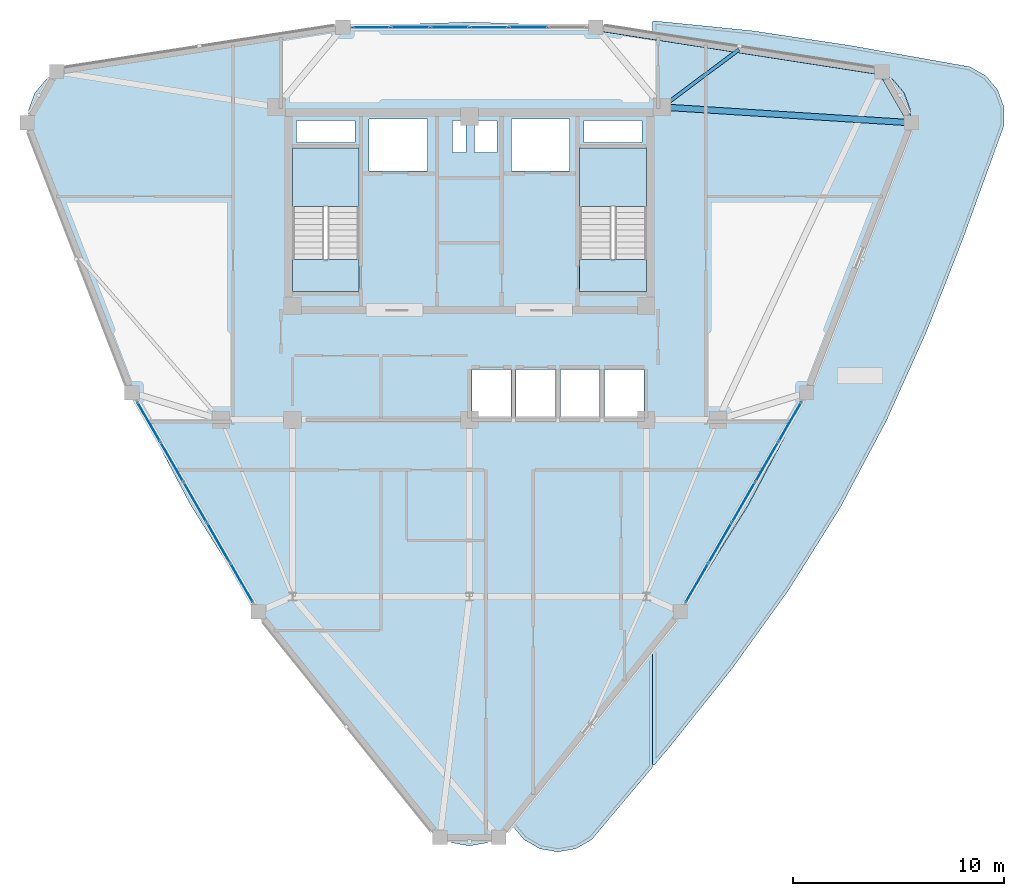
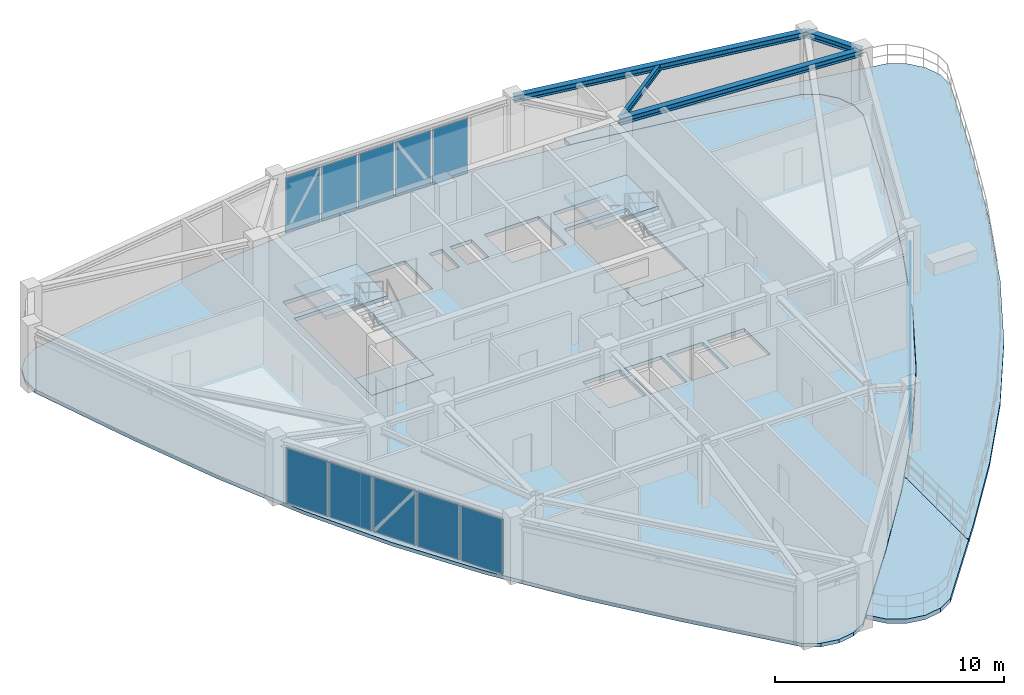
# One storey, part 10 of 16: 15 plates, 7 slabs, 4 beams, 5 elements without a shape of their own.
"""IFC4 building model written with IfcOpenShell, lengths in metres."""

from ifc_helpers import new_model, si_unit, derived_unit, direction, frame, origin, origin_2d, place, context, subcontext, project, spatial, polyline, rectangle, i_section, outline, extrude, source, transform, mapped, material, layer, layer_set, material_profile, profile_set, type_object, element, aggregate, save


model = new_model("IFC4")

# Units and contexts
model_context = context("Model", 3, precision=1e-05, world=origin(), true_north=direction((0.0, 1.0)))
body_context = subcontext(model_context, "Body", "Model", "MODEL_VIEW")
ifc_project = project(units=[si_unit("LENGTHUNIT", "METRE"), si_unit("AREAUNIT", "SQUARE_METRE"), si_unit("VOLUMEUNIT", "CUBIC_METRE"), si_unit("PLANEANGLEUNIT", "RADIAN"), si_unit("MASSUNIT", "GRAM", prefix="KILO"), derived_unit("THERMALTRANSMITTANCEUNIT", [(si_unit("POWERUNIT", "WATT"), 1), (si_unit("LENGTHUNIT", "METRE"), -2), (si_unit("THERMODYNAMICTEMPERATUREUNIT", "KELVIN"), -1)])], contexts=[model_context])

# Site, building, storey
site_placement = place(None, origin())
site = spatial("IfcSite", under=ifc_project, at=site_placement, CompositionType="ELEMENT")
building_placement = place(site_placement, origin())
building = spatial("IfcBuilding", under=site, at=building_placement, Name="Korsvarv Bourse and Concert Hall", CompositionType="ELEMENT")
storey_placement = place(building_placement, frame((0.0, 0.0, 243.0)))
storey = spatial("IfcBuildingStorey", under=building, at=storey_placement, Name="L63", CompositionType="ELEMENT", Elevation=243.0)

# Beams
ifc_material_1 = material(Name="Steel S355", Category="steel")
ifc_material_profile_1 = material_profile(ifc_material_1, i_section(OverallWidth=0.300048828125, OverallDepth=0.330078125, WebThickness=0.009521484375, FlangeThickness=0.0166015625, FilletRadius=0.02099609375, at=origin_2d()), Name="HEA 340")
ifc_profile_set_1 = profile_set([ifc_material_profile_1], Name="Steel S355")
beam_type_1 = type_object("IfcBeamType", Name="BM-HEA340", PredefinedType="BEAM", material=ifc_profile_set_1)
shared_shape_1 = source(origin(), body_context, "Body", "SweptSolid", [
    extrude(i_section(OverallWidth=0.300048828125, OverallDepth=0.330078125, WebThickness=0.009521484375, FlangeThickness=0.0166015625, FilletRadius=0.02099609375, at=origin_2d()), origin(), (0.0, 0.0, 1.0), 2.794921875),
])
beam_1_placement = place(storey_placement, frame((56.98779296875, 46.503662109375, 3.2451171875), z_axis=(-0.500009789943, 0.866019751484, 0.0), x_axis=(-0.866019751484, -0.500009789943, 0.0)))
element("IfcBeam", 1, at=beam_1_placement, inside=storey, type_object=beam_type_1, Name="L63 beam B-12", PredefinedType="BEAM", context=body_context, shape_type="MappedRepresentation", body=[
    mapped(shared_shape_1, transform((0.0, 0.0, 0.0), scale=1.0)),
])
shared_shape_2 = source(origin(), body_context, "Body", "SweptSolid", [
    extrude(i_section(OverallWidth=0.300048828125, OverallDepth=0.330078125, WebThickness=0.009521484375, FlangeThickness=0.0166015625, FilletRadius=0.02099609375, at=origin_2d()), origin(), (0.0, 0.0, 1.0), 13.74853515625),
])
beam_2_placement = place(storey_placement, frame((55.59033203125, 48.924072265625, 3.2451171875), z_axis=(-0.988168614185, 0.153371411744, 0.0), x_axis=(-0.153371411744, -0.988168614185, 0.0)))
element("IfcBeam", 2, at=beam_2_placement, inside=storey, type_object=beam_type_1, Name="L63 beam B-12", PredefinedType="BEAM", context=body_context, shape_type="MappedRepresentation", body=[
    mapped(shared_shape_2, transform((0.0, 0.0, 0.0), scale=1.0)),
])
shared_shape_3 = source(origin(), body_context, "Body", "SweptSolid", [
    extrude(i_section(OverallWidth=0.300048828125, OverallDepth=0.330078125, WebThickness=0.009521484375, FlangeThickness=0.0166015625, FilletRadius=0.02099609375, at=origin_2d()), origin(), (0.0, 0.0, 1.0), 11.861328125),
])
beam_3_placement = place(storey_placement, frame((56.98779296875, 46.503662109375, 3.2451171875), z_axis=(-0.998018472991, 0.06292159858, 0.0), x_axis=(-0.06292159858, -0.998018472991, 0.0)))
element("IfcBeam", 3, at=beam_3_placement, inside=storey, type_object=beam_type_1, Name="L63 beam B-12", PredefinedType="BEAM", context=body_context, shape_type="MappedRepresentation", body=[
    mapped(shared_shape_3, transform((0.0, 0.0, 0.0), scale=1.0)),
])
ifc_material_profile_2 = material_profile(ifc_material_1, i_section(OverallWidth=0.169921875, OverallDepth=0.360107421875, WebThickness=0.008056640625, FlangeThickness=0.0126953125, FilletRadius=0.01806640625, at=origin_2d()), Name="IPE 360")
ifc_profile_set_2 = profile_set([ifc_material_profile_2], Name="Steel S355")
beam_type_2 = type_object("IfcBeamType", Name="BM-IPE360", PredefinedType="JOIST", material=ifc_profile_set_2)
shared_shape_4 = source(origin(), body_context, "Body", "SweptSolid", [
    extrude(i_section(OverallWidth=0.169921875, OverallDepth=0.360107421875, WebThickness=0.008056640625, FlangeThickness=0.0126953125, FilletRadius=0.01806640625, at=origin_2d()), origin(), (0.0, 0.0, 1.0), 4.55517578125),
])
beam_4_placement = place(storey_placement, frame((48.79736328125, 49.978515625, 3.22998046875), z_axis=(-0.800745457612, -0.599004768023, 0.0), x_axis=(0.599004768023, -0.800745457612, 0.0)))
element("IfcBeam", 4, at=beam_4_placement, inside=storey, type_object=beam_type_2, Name="L63 beam J-06", PredefinedType="JOIST", context=body_context, shape_type="MappedRepresentation", body=[
    mapped(shared_shape_4, transform((0.0, 0.0, 0.0), scale=1.0)),
])

# Slabs
ifc_material_2 = material(Name="Precast concrete C45/55", Category="concrete")
ifc_layer_1 = layer(ifc_material_2, 0.199951171875)
ifc_layer_set_1 = layer_set([ifc_layer_1], Name="Precast concrete C45/55")
slab_type_1 = type_object("IfcSlabType", Name="SLB-FLND-T", PredefinedType="LANDING", material=ifc_layer_set_1)
slab_1_placement = place(storey_placement, frame((0.0, 0.0, -0.199951171875)))
element("IfcSlab", 5, at=slab_1_placement, inside=storey, type_object=slab_type_1, Name="L63 Stair ST-T1 Floor Landing Slab", PredefinedType="LANDING", context=body_context, shape_type="SweptSolid", body=[
    extrude(outline(polyline([(30.760009765625, 38.5), (30.760009765625, 40.0), (27.60009765625, 40.0), (27.60009765625, 38.5), (30.760009765625, 38.5)])), origin(), (0.0, 0.0, 1.0), 0.199951171875),
])
slab_2_placement = place(storey_placement, frame((0.0, 0.0, -0.199951171875)))
element("IfcSlab", 6, at=slab_2_placement, inside=storey, type_object=slab_type_1, Name="L63 Stair ST-T2 Floor Landing Slab", PredefinedType="LANDING", context=body_context, shape_type="SweptSolid", body=[
    extrude(outline(polyline([(44.39990234375, 38.5), (44.39990234375, 40.0), (41.239990234375, 40.0), (41.239990234375, 38.5), (44.39990234375, 38.5)])), origin(), (0.0, 0.0, 1.0), 0.199951171875),
])
ifc_material_3 = material(Name="Concrete C45/55", Category="concrete")
ifc_layer_2 = layer(ifc_material_3, 0.22998046875)
ifc_layer_set_2 = layer_set([ifc_layer_2], Name="Concrete C45/55")
slab_type_2 = type_object("IfcSlabType", Name="SLB-SKY", PredefinedType="FLOOR", material=ifc_layer_set_2)
slab_3_placement = place(storey_placement, frame((0.0, 0.0, -0.22998046875)))
element("IfcSlab", 7, at=slab_3_placement, inside=storey, type_object=slab_type_2, Name="L63 Crescent Sky Garden Terrace 1", PredefinedType="FLOOR", context=body_context, shape_type="SweptSolid", body=[
    extrude(outline(polyline([(46.818603515625, 24.467529296875), (46.819091796875, 24.46826171875), (49.247314453125, 28.3505859375), (49.247802734375, 28.351318359375), (49.248046875, 28.352294921875), (51.396484375, 32.396240234375), (51.396728515625, 32.39697265625), (51.397216796875, 32.397705078125), (53.291015625, 36.599853515625), (53.291259765625, 36.600341796875), (53.29150390625, 36.60107421875), (54.993408203125, 40.93408203125), (54.99365234375, 40.934326171875), (54.993896484375, 40.934814453125), (56.595703125, 45.350830078125), (56.595947265625, 45.351806640625), (56.935791015625, 46.28515625), (56.93603515625, 46.28564453125), (56.936279296875, 46.287109375), (56.9365234375, 46.287841796875), (56.9365234375, 46.289306640625), (56.9365234375, 46.289794921875), (56.9365234375, 47.12744140625), (56.9365234375, 47.1279296875), (56.9365234375, 47.12939453125), (56.936279296875, 47.130126953125), (56.93603515625, 47.131591796875), (56.935791015625, 47.132080078125), (56.6494140625, 47.919189453125), (56.649169921875, 47.919677734375), (56.6484375, 47.9208984375), (56.648193359375, 47.921630859375), (56.647216796875, 47.9228515625), (56.64697265625, 47.923095703125), (56.1083984375, 48.564697265625), (56.108154296875, 48.565185546875), (56.107177734375, 48.566162109375), (56.1064453125, 48.56689453125), (56.10546875, 48.567626953125), (56.10498046875, 48.56787109375), (55.37939453125, 48.98681640625), (55.37890625, 48.98681640625), (55.377685546875, 48.987548828125), (55.376953125, 48.98779296875), (55.37548828125, 48.98828125), (55.375, 48.98828125), (54.396728515625, 49.160888671875), (54.395751953125, 49.160888671875), (49.7705078125, 49.981689453125), (49.770263671875, 49.981689453125), (49.769775390625, 49.981689453125), (45.166259765625, 50.67431640625), (45.165771484375, 50.674560546875), (45.164794921875, 50.674560546875), (44.75390625, 50.7158203125), (44.748291015625, 50.716796875), (44.742431640625, 50.71826171875), (44.737060546875, 50.72021484375), (44.731689453125, 50.72265625), (44.7265625, 50.7255859375), (44.721923828125, 50.729248046875), (44.717529296875, 50.733154296875), (44.713623046875, 50.737548828125), (44.710205078125, 50.7421875), (44.70703125, 50.747314453125), (44.70458984375, 50.752685546875), (44.70263671875, 50.75830078125), (44.701171875, 50.763916015625), (44.7001953125, 50.769775390625), (44.699951171875, 50.775634765625), (44.699951171875, 51.277587890625), (44.7001953125, 51.283447265625), (44.701171875, 51.28955078125), (44.70263671875, 51.29541015625), (44.704833984375, 51.30078125), (44.70751953125, 51.306396484375), (44.710693359375, 51.3115234375), (44.714111328125, 51.31640625), (44.71826171875, 51.32080078125), (44.722900390625, 51.32470703125), (44.727783203125, 51.328125), (44.73291015625, 51.3310546875), (44.738525390625, 51.33349609375), (44.744140625, 51.33544921875), (44.75, 51.336669921875), (44.756103515625, 51.33740234375), (44.76220703125, 51.33740234375), (44.818359375, 51.33544921875), (44.822265625, 51.335205078125), (49.44873046875, 50.869140625), (49.451904296875, 50.868896484375), (54.0966796875, 50.16845703125), (54.09814453125, 50.168212890625), (58.765869140625, 49.338134765625), (58.766357421875, 49.337890625), (58.766845703125, 49.337890625), (58.76806640625, 49.337646484375), (59.765869140625, 49.16162109375), (59.77099609375, 49.16064453125), (59.77587890625, 49.158935546875), (59.78076171875, 49.156982421875), (59.785400390625, 49.154541015625), (60.519775390625, 48.730712890625), (60.524169921875, 48.727783203125), (60.5283203125, 48.724609375), (60.5322265625, 48.72119140625), (60.53564453125, 48.71728515625), (61.080810546875, 48.0673828125), (61.083984375, 48.0634765625), (61.0869140625, 48.058837890625), (61.089111328125, 48.05419921875), (61.09130859375, 48.049560546875), (61.38134765625, 47.252685546875), (61.3828125, 47.247802734375), (61.384033203125, 47.242431640625), (61.384765625, 47.2373046875), (61.385009765625, 47.232177734375), (61.385009765625, 46.384033203125), (61.384765625, 46.37890625), (61.384033203125, 46.373779296875), (61.3828125, 46.36865234375), (61.38134765625, 46.363525390625), (61.034912109375, 45.412109375), (61.03466796875, 45.410888671875), (61.033935546875, 45.408935546875), (59.419189453125, 40.9521484375), (59.418701171875, 40.95068359375), (57.702392578125, 36.577880859375), (57.701416015625, 36.5751953125), (55.791748046875, 32.33544921875), (55.7900390625, 32.331787109375), (53.623291015625, 28.25244140625), (53.621337890625, 28.248779296875), (51.171630859375, 24.33251953125), (51.169677734375, 24.329345703125), (48.45263671875, 20.5556640625), (48.45068359375, 20.55322265625), (45.521728515625, 16.880859375), (45.520751953125, 16.879638671875), (44.805908203125, 16.0302734375), (44.802001953125, 16.02587890625), (44.797607421875, 16.022216796875), (44.792724609375, 16.0185546875), (44.78759765625, 16.015625), (44.782470703125, 16.01318359375), (44.77685546875, 16.01123046875), (44.771240234375, 16.010009765625), (44.765380859375, 16.009033203125), (44.759521484375, 16.0087890625), (44.753662109375, 16.00927734375), (44.747802734375, 16.010009765625), (44.7421875, 16.01171875), (44.73681640625, 16.013671875), (44.7314453125, 16.01611328125), (44.726318359375, 16.01904296875), (44.7216796875, 16.022705078125), (44.71728515625, 16.026611328125), (44.71337890625, 16.031005859375), (44.7099609375, 16.03564453125), (44.70703125, 16.040771484375), (44.70458984375, 16.0458984375), (44.70263671875, 16.051513671875), (44.701171875, 16.05712890625), (44.7001953125, 16.06298828125), (44.699951171875, 16.06884765625), (44.699951171875, 21.50390625), (44.7001953125, 21.51025390625), (44.701416015625, 21.516357421875), (44.702880859375, 21.5224609375), (44.705078125, 21.5283203125), (44.7080078125, 21.53369140625), (44.711181640625, 21.5390625), (46.818359375, 24.466796875), (46.818603515625, 24.467529296875)])), origin(), (0.0, 0.0, 1.0), 0.22998046875),
])
slab_4_placement = place(storey_placement, frame((0.0, 0.0, -0.22998046875)))
element("IfcSlab", 8, at=slab_4_placement, inside=storey, type_object=slab_type_2, Name="L63 Crescent Sky Garden Terrace 2", PredefinedType="FLOOR", context=body_context, shape_type="SweptSolid", body=[
    extrude(outline(polyline([(42.4677734375, 13.251953125), (42.4677734375, 13.251953125), (42.466796875, 13.2509765625), (41.8154296875, 12.474609375), (41.81201171875, 12.470703125), (41.80810546875, 12.46728515625), (41.803955078125, 12.464111328125), (41.799560546875, 12.461181640625), (41.065185546875, 12.037353515625), (41.060546875, 12.034912109375), (41.0556640625, 12.032958984375), (41.05078125, 12.03125), (41.045654296875, 12.0302734375), (40.21044921875, 11.8828125), (40.205078125, 11.88232421875), (40.199951171875, 11.882080078125), (40.19482421875, 11.88232421875), (40.189697265625, 11.8828125), (39.3544921875, 12.0302734375), (39.349365234375, 12.03125), (39.34423828125, 12.032958984375), (39.339599609375, 12.034912109375), (39.334716796875, 12.037353515625), (38.6005859375, 12.461181640625), (38.595947265625, 12.464111328125), (38.591796875, 12.46728515625), (38.587890625, 12.470703125), (38.58447265625, 12.474609375), (37.999267578125, 13.172119140625), (37.99560546875, 13.177001953125), (37.992431640625, 13.181884765625), (37.989990234375, 13.187255859375), (37.98779296875, 13.193115234375), (37.986328125, 13.19873046875), (37.985595703125, 13.20458984375), (37.985107421875, 13.210693359375), (37.985595703125, 13.216552734375), (37.986328125, 13.222412109375), (37.98779296875, 13.228271484375), (37.989990234375, 13.23388671875), (37.992431640625, 13.239501953125), (37.99560546875, 13.244384765625), (37.999267578125, 13.249267578125), (38.19921875, 13.487548828125), (38.19970703125, 13.48828125), (41.223388671875, 17.08349609375), (41.223388671875, 17.083740234375), (41.2236328125, 17.083984375), (44.125244140625, 20.724609375), (44.12548828125, 20.72509765625), (44.1259765625, 20.7255859375), (44.59130859375, 21.372314453125), (44.594970703125, 21.376708984375), (44.59912109375, 21.381103515625), (44.603515625, 21.384765625), (44.608154296875, 21.387939453125), (44.61328125, 21.390869140625), (44.618408203125, 21.393310546875), (44.6240234375, 21.39501953125), (44.629638671875, 21.396240234375), (44.635498046875, 21.39697265625), (44.641357421875, 21.397216796875), (44.647216796875, 21.396728515625), (44.65283203125, 21.395751953125), (44.658447265625, 21.394287109375), (44.663818359375, 21.39208984375), (44.669189453125, 21.3896484375), (44.674072265625, 21.38671875), (44.6787109375, 21.383056640625), (44.682861328125, 21.379150390625), (44.686767578125, 21.374755859375), (44.690185546875, 21.3701171875), (44.693115234375, 21.364990234375), (44.695556640625, 21.35986328125), (44.697509765625, 21.3544921875), (44.698974609375, 21.3486328125), (44.69970703125, 21.343017578125), (44.699951171875, 21.337158203125), (44.699951171875, 15.92626953125), (44.69970703125, 15.92041015625), (44.69873046875, 15.914306640625), (44.697265625, 15.90869140625), (44.6953125, 15.90283203125), (44.692626953125, 15.8974609375), (44.689453125, 15.892333984375), (44.685791015625, 15.8876953125), (42.468505859375, 13.252685546875), (42.4677734375, 13.251953125)])), origin(), (0.0, 0.0, 1.0), 0.22998046875),
])

# Stair, slab
stair_type = type_object("IfcStairType", Name="STR-TYPE-04", PredefinedType="HALF_TURN_STAIR", material=ifc_material_2)
stair_1_placement = place(storey_placement, origin())
stair_1 = element("IfcStair", 9, at=stair_1_placement, inside=storey, type_object=stair_type, Name="L63 Tower West Exit Stair ST-T1", PredefinedType="HALF_TURN_STAIR")
ifc_layer_3 = layer(ifc_material_2, 0.199951171875)
ifc_layer_set_3 = layer_set([ifc_layer_3], Name="Precast concrete C45/55")
slab_type_3 = type_object("IfcSlabType", Name="SLB-ST-LND", PredefinedType="LANDING", material=ifc_layer_set_3)
slab_5_placement = place(storey_placement, frame((0.0, 0.0, 1.60009765625)))
slab_5 = element("IfcSlab", 10, at=slab_5_placement, type_object=slab_type_3, Name="ST-T1 landing 1", PredefinedType="LANDING", context=body_context, shape_type="SweptSolid", body=[
    extrude(outline(polyline([(30.760009765625, 42.52001953125), (30.760009765625, 45.300048828125), (27.60009765625, 45.300048828125), (27.60009765625, 42.52001953125), (30.760009765625, 42.52001953125)])), origin(), (0.0, 0.0, 1.0), 0.199951171875),
])
aggregate(stair_1, [slab_5])

stair_2_placement = place(storey_placement, origin())
stair_2 = element("IfcStair", 11, at=stair_2_placement, inside=storey, type_object=stair_type, Name="L63 Tower East Exit Stair ST-T2", PredefinedType="HALF_TURN_STAIR")
slab_6_placement = place(storey_placement, frame((0.0, 0.0, 1.60009765625)))
slab_6 = element("IfcSlab", 12, at=slab_6_placement, type_object=slab_type_3, Name="ST-T2 landing 1", PredefinedType="LANDING", context=body_context, shape_type="SweptSolid", body=[
    extrude(outline(polyline([(44.39990234375, 42.52001953125), (44.39990234375, 45.300048828125), (41.239990234375, 45.300048828125), (41.239990234375, 42.52001953125), (44.39990234375, 42.52001953125)])), origin(), (0.0, 0.0, 1.0), 0.199951171875),
])
aggregate(stair_2, [slab_6])

# Slab
ifc_layer_4 = layer(ifc_material_3, 0.18994140625)
ifc_layer_set_4 = layer_set([ifc_layer_4], Name="Concrete C45/55")
slab_type_4 = type_object("IfcSlabType", Name="SLB-TW3", PredefinedType="FLOOR", material=ifc_layer_set_4)
slab_7_placement = place(storey_placement, frame((0.0, 0.0, -0.18994140625)))
element("IfcSlab", 13, at=slab_7_placement, inside=storey, type_object=slab_type_4, Name="L63 tower structural floor slab", PredefinedType="FLOOR", context=body_context, shape_type="SweptSolid", body=[
    extrude(outline(polyline([(56.586181640625, 45.354248046875), (54.984375, 40.93798828125), (53.281982421875, 36.6044921875), (51.3876953125, 32.4013671875), (49.239013671875, 28.3564453125), (46.810302734375, 24.47314453125), (44.11767578125, 20.731201171875), (41.2158203125, 17.090087890625), (38.192138671875, 13.49462890625), (38.191650390625, 13.493896484375), (37.552490234375, 12.732421875), (36.826171875, 12.31298828125), (36.0, 12.16748046875), (35.173828125, 12.31298828125), (34.447509765625, 12.732421875), (33.808349609375, 13.493896484375), (33.807861328125, 13.49462890625), (30.7841796875, 17.090087890625), (27.88232421875, 20.731201171875), (25.189697265625, 24.47314453125), (22.760986328125, 28.3564453125), (20.6123046875, 32.4013671875), (18.718017578125, 36.6044921875), (17.015625, 40.93798828125), (15.413818359375, 45.354248046875), (15.413330078125, 45.35498046875), (15.073486328125, 46.289306640625), (15.073486328125, 47.1279296875), (15.3603515625, 47.916259765625), (15.899658203125, 48.558837890625), (16.6259765625, 48.978271484375), (17.60498046875, 49.15087890625), (17.60595703125, 49.151123046875), (22.2314453125, 49.971923828125), (26.835693359375, 50.66455078125), (31.422607421875, 51.12548828125), (36.0, 51.287109375), (40.577392578125, 51.12548828125), (45.164306640625, 50.66455078125), (49.7685546875, 49.971923828125), (54.39404296875, 49.151123046875), (54.39501953125, 49.15087890625), (55.3740234375, 48.978271484375), (56.100341796875, 48.558837890625), (56.6396484375, 47.916259765625), (56.926513671875, 47.1279296875), (56.926513671875, 46.289306640625), (56.586669921875, 45.35498046875), (56.586181640625, 45.354248046875)]), holes=[polyline([(30.760009765625, 38.5), (30.760009765625, 45.300048828125), (27.60009765625, 45.300048828125), (27.60009765625, 38.5), (30.760009765625, 38.5)]), polyline([(44.39990234375, 38.5), (44.39990234375, 45.300048828125), (41.239990234375, 45.300048828125), (41.239990234375, 38.5), (44.39990234375, 38.5)]), polyline([(31.239990234375, 44.219970703125), (34.0, 44.219970703125), (34.0, 46.679931640625), (31.239990234375, 46.679931640625), (31.239990234375, 44.219970703125)]), polyline([(38.0, 44.219970703125), (40.760009765625, 44.219970703125), (40.760009765625, 46.679931640625), (38.0, 46.679931640625), (38.0, 44.219970703125)]), polyline([(36.1201171875, 32.52001953125), (37.97998046875, 32.52001953125), (37.97998046875, 34.780029296875), (36.1201171875, 34.780029296875), (36.1201171875, 32.52001953125)]), polyline([(38.219970703125, 32.52001953125), (40.080078125, 32.52001953125), (40.080078125, 34.780029296875), (38.219970703125, 34.780029296875), (38.219970703125, 32.52001953125)]), polyline([(40.320068359375, 32.52001953125), (42.179931640625, 32.52001953125), (42.179931640625, 34.780029296875), (40.320068359375, 34.780029296875), (40.320068359375, 32.52001953125)]), polyline([(42.419921875, 32.52001953125), (44.280029296875, 32.52001953125), (44.280029296875, 34.780029296875), (42.419921875, 34.780029296875), (42.419921875, 32.52001953125)]), polyline([(27.800048828125, 45.56005859375), (30.56005859375, 45.56005859375), (30.56005859375, 46.6201171875), (27.800048828125, 46.6201171875), (27.800048828125, 45.56005859375)]), polyline([(41.43994140625, 45.56005859375), (44.199951171875, 45.56005859375), (44.199951171875, 46.6201171875), (41.43994140625, 46.6201171875), (41.43994140625, 45.56005859375)]), polyline([(35.199951171875, 45.080078125), (35.840087890625, 45.080078125), (35.840087890625, 46.6201171875), (35.199951171875, 46.6201171875), (35.199951171875, 45.080078125)]), polyline([(36.239990234375, 45.080078125), (37.320068359375, 45.080078125), (37.320068359375, 46.6201171875), (36.239990234375, 46.6201171875), (36.239990234375, 45.080078125)])]), origin(), (0.0, 0.0, 1.0), 0.18994140625),
])

# Curtain wall, plates
ifc_material_4 = material(Name="Anodised aluminium and triple low-E glazing", Category="glass")
ifc_layer_5 = layer(ifc_material_4, 0.199951171875)
ifc_layer_set_5 = layer_set([ifc_layer_5], Name="Anodised aluminium and triple low-E glazing")
curtain_wall_type = type_object("IfcCurtainWallType", Name="CW-SYS-3", PredefinedType="NOTDEFINED", material=ifc_layer_set_5)
curtain_wall_1_placement = place(storey_placement, origin())
curtain_wall_1 = element("IfcCurtainWall", 14, at=curtain_wall_1_placement, inside=storey, type_object=curtain_wall_type, Name="L63 CW3 curtain wall CW-L63-F03", PredefinedType="NOTDEFINED")
ifc_material_5 = material(Name="Tempered triple insulated low-E architectural glass", Category="glass")
ifc_layer_6 = layer(ifc_material_5, 0.0380859375)
ifc_layer_set_6 = layer_set([ifc_layer_6], Name="Tempered triple insulated low-E architectural glass")
plate_type_1 = type_object("IfcPlateType", Name="CWP-VIS2", PredefinedType="CURTAIN_PANEL", material=ifc_layer_set_6)
shared_shape_5 = source(origin(), body_context, "Body", "SweptSolid", [
    extrude(rectangle(XDim=1.798095703125, YDim=0.0380859375, at=origin_2d()), origin(), (0.0, 0.0, 1.0), 2.949951171875),
])
plate_1_placement = place(storey_placement, frame((38.80224609375, 51.03271484375, 0.06494140625), z_axis=(0.0, 0.0, 1.0), x_axis=(-1.0, 0.0, 0.0)))
plate_1 = element("IfcPlate", 15, at=plate_1_placement, type_object=plate_type_1, Name="CW3 faceted panel 2.1", PredefinedType="CURTAIN_PANEL", context=body_context, shape_type="MappedRepresentation", body=[
    mapped(shared_shape_5, transform((0.0, 0.0, 0.0), scale=1.0)),
])
plate_2_placement = place(storey_placement, frame((35.06591796875, 51.03271484375, 0.06494140625), z_axis=(0.0, 0.0, 1.0), x_axis=(-1.0, 0.0, 0.0)))
plate_2 = element("IfcPlate", 16, at=plate_2_placement, type_object=plate_type_1, Name="CW3 faceted panel 4.1", PredefinedType="CURTAIN_PANEL", context=body_context, shape_type="MappedRepresentation", body=[
    mapped(shared_shape_5, transform((0.0, 0.0, 0.0), scale=1.0)),
])
plate_3_placement = place(storey_placement, frame((33.19775390625, 51.03271484375, 0.06494140625), z_axis=(0.0, 0.0, 1.0), x_axis=(-1.0, 0.0, 0.0)))
plate_3 = element("IfcPlate", 17, at=plate_3_placement, type_object=plate_type_1, Name="CW3 faceted panel 5.1", PredefinedType="CURTAIN_PANEL", context=body_context, shape_type="MappedRepresentation", body=[
    mapped(shared_shape_5, transform((0.0, 0.0, 0.0), scale=1.0)),
])
ifc_material_6 = material(Name="Insulated spandrel glass", Category="glass")
ifc_layer_7 = layer(ifc_material_6, 0.031982421875)
ifc_layer_set_7 = layer_set([ifc_layer_7], Name="Insulated spandrel glass")
plate_type_2 = type_object("IfcPlateType", Name="CWP-SPD1", PredefinedType="CURTAIN_PANEL", material=ifc_layer_set_7)
shared_shape_6 = source(origin(), body_context, "Body", "SweptSolid", [
    extrude(rectangle(XDim=1.798095703125, YDim=0.031982421875, at=origin_2d()), origin(), (0.0, 0.0, 1.0), 2.949951171875),
])
plate_4_placement = place(storey_placement, frame((36.93408203125, 51.03271484375, 0.06494140625), z_axis=(0.0, 0.0, 1.0), x_axis=(-1.0, 0.0, 0.0)))
plate_4 = element("IfcPlate", 18, at=plate_4_placement, type_object=plate_type_2, Name="CW3 spandrel shadow-box panel 3.1", PredefinedType="CURTAIN_PANEL", context=body_context, shape_type="MappedRepresentation", body=[
    mapped(shared_shape_6, transform((0.0, 0.0, 0.0), scale=1.0)),
])
shared_shape_7 = source(origin(), body_context, "Body", "SweptSolid", [
    extrude(rectangle(XDim=1.76318359375, YDim=0.031982421875, at=origin_2d()), origin(), (0.0, 0.0, 1.0), 2.949951171875),
])
plate_5_placement = place(storey_placement, frame((31.34716796875, 51.03271484375, 0.06494140625), z_axis=(0.0, 0.0, 1.0), x_axis=(-1.0, 0.0, 0.0)))
plate_5 = element("IfcPlate", 19, at=plate_5_placement, type_object=plate_type_2, Name="CW3 spandrel shadow-box panel 6.1", PredefinedType="CURTAIN_PANEL", context=body_context, shape_type="MappedRepresentation", body=[
    mapped(shared_shape_7, transform((0.0, 0.0, 0.0), scale=1.0)),
])
aggregate(curtain_wall_1, [plate_1, plate_4, plate_2, plate_3, plate_5])

curtain_wall_2_placement = place(storey_placement, origin())
curtain_wall_2 = element("IfcCurtainWall", 20, at=curtain_wall_2_placement, inside=storey, type_object=curtain_wall_type, Name="L63 CW3 curtain wall CW-L63-F07", PredefinedType="NOTDEFINED")
shared_shape_8 = source(origin(), body_context, "Body", "SweptSolid", [
    extrude(rectangle(XDim=2.112060546875, YDim=0.0380859375, at=origin_2d()), origin(), (0.0, 0.0, 1.0), 2.949951171875),
])
plate_6_placement = place(storey_placement, frame((20.77294921875, 32.308349609375, 0.06494140625), z_axis=(0.0, 0.0, 1.0), x_axis=(0.500006437765, -0.866021686907, 0.0)))
plate_6 = element("IfcPlate", 21, at=plate_6_placement, type_object=plate_type_1, Name="CW3 faceted panel 1.1", PredefinedType="CURTAIN_PANEL", context=body_context, shape_type="MappedRepresentation", body=[
    mapped(shared_shape_8, transform((0.0, 0.0, 0.0), scale=1.0)),
])
plate_7_placement = place(storey_placement, frame((25.189697265625, 24.658935546875, 0.06494140625), z_axis=(0.0, 0.0, 1.0), x_axis=(0.500006437765, -0.866021686907, 0.0)))
plate_7 = element("IfcPlate", 22, at=plate_7_placement, type_object=plate_type_1, Name="CW3 faceted panel 5.1", PredefinedType="CURTAIN_PANEL", context=body_context, shape_type="MappedRepresentation", body=[
    mapped(shared_shape_8, transform((0.0, 0.0, 0.0), scale=1.0)),
])

curtain_wall_3_placement = place(storey_placement, origin())
curtain_wall_3 = element("IfcCurtainWall", 23, at=curtain_wall_3_placement, inside=storey, type_object=curtain_wall_type, Name="L63 CW3 curtain wall CW-L63-F11", PredefinedType="NOTDEFINED")
plate_8_placement = place(storey_placement, frame((46.810302734375, 24.658935546875, 0.06494140625), z_axis=(0.0, 0.0, 1.0), x_axis=(0.500006437765, 0.866021686907, 0.0)))
plate_8 = element("IfcPlate", 24, at=plate_8_placement, type_object=plate_type_1, Name="CW3 faceted panel 1.1", PredefinedType="CURTAIN_PANEL", context=body_context, shape_type="MappedRepresentation", body=[
    mapped(shared_shape_8, transform((0.0, 0.0, 0.0), scale=1.0)),
])
plate_9_placement = place(storey_placement, frame((51.22705078125, 32.308349609375, 0.06494140625), z_axis=(0.0, 0.0, 1.0), x_axis=(0.500006437765, 0.866021686907, 0.0)))
plate_9 = element("IfcPlate", 25, at=plate_9_placement, type_object=plate_type_1, Name="CW3 faceted panel 5.1", PredefinedType="CURTAIN_PANEL", context=body_context, shape_type="MappedRepresentation", body=[
    mapped(shared_shape_8, transform((0.0, 0.0, 0.0), scale=1.0)),
])

# Plate
shared_shape_9 = source(origin(), body_context, "Body", "SweptSolid", [
    extrude(rectangle(XDim=2.14697265625, YDim=0.0380859375, at=origin_2d()), origin(), (0.0, 0.0, 1.0), 2.949951171875),
])
plate_10_placement = place(storey_placement, frame((21.872802734375, 30.403564453125, 0.06494140625), z_axis=(0.0, 0.0, 1.0), x_axis=(0.500006437765, -0.866021686907, 0.0)))
plate_10 = element("IfcPlate", 26, at=plate_10_placement, type_object=plate_type_1, Name="CW3 faceted panel 2.1", PredefinedType="CURTAIN_PANEL", context=body_context, shape_type="MappedRepresentation", body=[
    mapped(shared_shape_9, transform((0.0, 0.0, 0.0), scale=1.0)),
])

plate_11_placement = place(storey_placement, frame((24.08984375, 26.563720703125, 0.06494140625), z_axis=(0.0, 0.0, 1.0), x_axis=(0.500006437765, -0.866021686907, 0.0)))
plate_11 = element("IfcPlate", 27, at=plate_11_placement, type_object=plate_type_1, Name="CW3 faceted panel 4.1", PredefinedType="CURTAIN_PANEL", context=body_context, shape_type="MappedRepresentation", body=[
    mapped(shared_shape_9, transform((0.0, 0.0, 0.0), scale=1.0)),
])

plate_12_placement = place(storey_placement, frame((47.91015625, 26.563720703125, 0.06494140625), z_axis=(0.0, 0.0, 1.0), x_axis=(0.500006437765, 0.866021686907, 0.0)))
plate_12 = element("IfcPlate", 28, at=plate_12_placement, type_object=plate_type_1, Name="CW3 faceted panel 2.1", PredefinedType="CURTAIN_PANEL", context=body_context, shape_type="MappedRepresentation", body=[
    mapped(shared_shape_9, transform((0.0, 0.0, 0.0), scale=1.0)),
])

plate_13_placement = place(storey_placement, frame((50.127197265625, 30.403564453125, 0.06494140625), z_axis=(0.0, 0.0, 1.0), x_axis=(0.500006437765, 0.866021686907, 0.0)))
plate_13 = element("IfcPlate", 29, at=plate_13_placement, type_object=plate_type_1, Name="CW3 faceted panel 4.1", PredefinedType="CURTAIN_PANEL", context=body_context, shape_type="MappedRepresentation", body=[
    mapped(shared_shape_9, transform((0.0, 0.0, 0.0), scale=1.0)),
])

shared_shape_10 = source(origin(), body_context, "Body", "SweptSolid", [
    extrude(rectangle(XDim=2.14697265625, YDim=0.031982421875, at=origin_2d()), origin(), (0.0, 0.0, 1.0), 2.949951171875),
])
plate_14_placement = place(storey_placement, frame((22.981201171875, 28.483642578125, 0.06494140625), z_axis=(0.0, 0.0, 1.0), x_axis=(0.500006437765, -0.866021686907, 0.0)))
plate_14 = element("IfcPlate", 30, at=plate_14_placement, type_object=plate_type_2, Name="CW3 spandrel shadow-box panel 3.1", PredefinedType="CURTAIN_PANEL", context=body_context, shape_type="MappedRepresentation", body=[
    mapped(shared_shape_10, transform((0.0, 0.0, 0.0), scale=1.0)),
])

aggregate(curtain_wall_2, [plate_6, plate_10, plate_14, plate_11, plate_7])

plate_15_placement = place(storey_placement, frame((49.018798828125, 28.483642578125, 0.06494140625), z_axis=(0.0, 0.0, 1.0), x_axis=(0.500006437765, 0.866021686907, 0.0)))
plate_15 = element("IfcPlate", 31, at=plate_15_placement, type_object=plate_type_2, Name="CW3 spandrel shadow-box panel 3.1", PredefinedType="CURTAIN_PANEL", context=body_context, shape_type="MappedRepresentation", body=[
    mapped(shared_shape_10, transform((0.0, 0.0, 0.0), scale=1.0)),
])

aggregate(curtain_wall_3, [plate_8, plate_12, plate_15, plate_13, plate_9])

save(model, "model.ifc")
